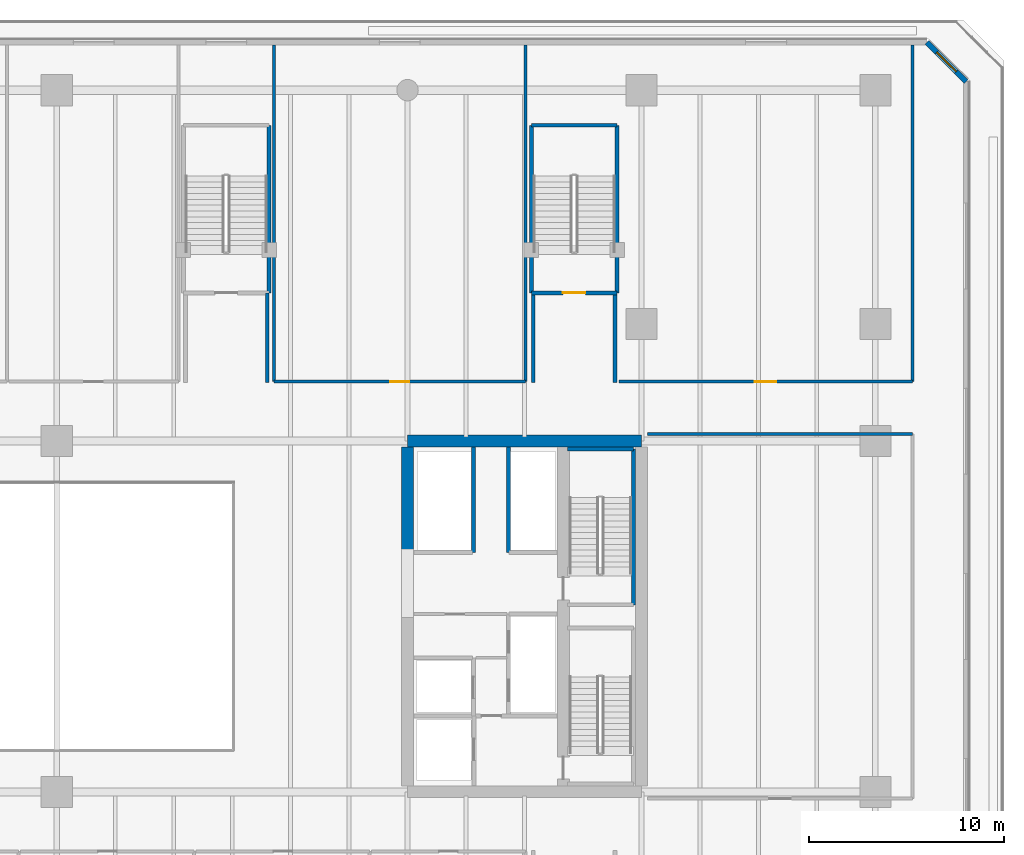
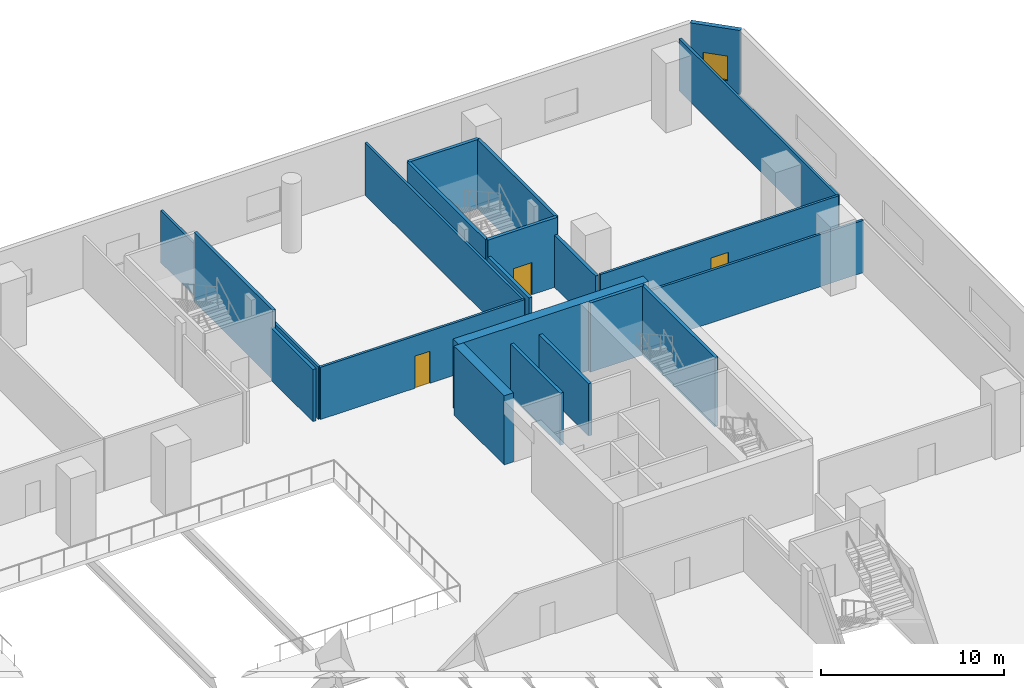
# One storey, part 9 of 27: 21 walls, 3 doors, 1 window, 4 openings.
"""IFC4 building model written with IfcOpenShell, lengths in metres."""

from ifc_helpers import new_model, si_unit, direction, frame, frame_2d, origin, place, context, subcontext, project, spatial, rectangle, extrude, material, layer, layer_set, type_object, element, fill, save


model = new_model("IFC4")

# Units and contexts
model_context = context("Model", 3, precision=1e-05, world=origin(), true_north=direction((0.0, 1.0)))
body_context = subcontext(model_context, "Body", "Model", "MODEL_VIEW")
ifc_project = project(units=[si_unit("LENGTHUNIT", "METRE"), si_unit("AREAUNIT", "SQUARE_METRE"), si_unit("VOLUMEUNIT", "CUBIC_METRE"), si_unit("PLANEANGLEUNIT", "RADIAN"), si_unit("MASSUNIT", "GRAM", prefix="KILO")], contexts=[model_context])

# Site, building, storey
site_placement = place(None, origin())
site = spatial("IfcSite", under=ifc_project, at=site_placement, CompositionType="ELEMENT")
building_placement = place(site_placement, origin())
building = spatial("IfcBuilding", under=site, at=building_placement, Name="Tanjung Sevakor Pilgrim Tower", CompositionType="ELEMENT")
storey_placement = place(building_placement, frame((0.0, 0.0, 19.469970703125)))
storey = spatial("IfcBuildingStorey", under=building, at=storey_placement, Name="L05", CompositionType="ELEMENT", Elevation=19.469970703125)

# Walls
ifc_material_1 = material(Name="Concrete C60/75", Category="concrete")
ifc_layer_1 = layer(ifc_material_1, 0.60009765625)
ifc_layer_set_1 = layer_set([ifc_layer_1], Name="WALL-CW-600")
wall_type_1 = type_object("IfcWallType", Name="WALL-CW-600", PredefinedType="SHEAR", material=ifc_layer_set_1)
wall_1_placement = place(storey_placement, frame((90.0, 42.60009765625, 0.0), z_axis=(0.0, 0.0, 1.0), x_axis=(-1.0, 0.0, 0.0)))
element("IfcWall", 1, at=wall_1_placement, inside=storey, type_object=wall_type_1, Name="L05 E Core North Shear Wall", PredefinedType="SHEAR", context=body_context, shape_type="SweptSolid", body=[
    extrude(rectangle(XDim=12.0, YDim=0.60009765625, at=frame_2d((6.0, 0.0))), origin(), (0.0, 0.0, 1.0), 4.6201171875),
])
wall_2_placement = place(storey_placement, frame((78.0, 36.800048828125, 0.0), z_axis=(0.0, 0.0, 1.0), x_axis=(0.0, 1.0, 0.0)))
element("IfcWall", 2, at=wall_2_placement, inside=storey, type_object=wall_type_1, Name="L05 E Core Inner Shear Wall North", PredefinedType="SHEAR", context=body_context, shape_type="SweptSolid", body=[
    extrude(rectangle(XDim=5.5, YDim=0.60009765625, at=frame_2d((2.75, 0.0))), origin(), (0.0, 0.0, 1.0), 4.6201171875),
])

# Wall, opening, door
ifc_material_2 = material(Name="Concrete C40/50", Category="concrete")
ifc_layer_2 = layer(ifc_material_2, 0.14990234375)
ifc_layer_set_2 = layer_set([ifc_layer_2], Name="WT-COMP-150")
wall_type_2 = type_object("IfcWallType", Name="WT-COMP-150", PredefinedType="SOLIDWALL", material=ifc_layer_set_2)
wall_3_placement = place(storey_placement, frame((71.14990234375, 45.64990234375, 0.0), z_axis=(0.0, 0.0, 1.0), x_axis=(1.0, 0.0, 0.0)))
wall_3 = element("IfcWall", 3, at=wall_3_placement, inside=storey, type_object=wall_type_2, Name="L05 Partition IW-L05-060", PredefinedType="SOLIDWALL", context=body_context, shape_type="SweptSolid", body=[
    extrude(rectangle(XDim=12.900146484375, YDim=0.14990234375, at=frame_2d((6.4501953125, 0.0))), origin(), (0.0, 0.0, 1.0), 3.489990234375),
])
opening_1_placement = place(wall_3_placement, frame((5.97509765625, 0.0, 0.0)))
opening_1 = element("IfcOpeningElement", 4, at=opening_1_placement, cuts=wall_3, Name="Opening ID-RM1", PredefinedType="OPENING", context=body_context, shape_type="SweptSolid", body=[
    extrude(rectangle(XDim=0.949951171875, YDim=2.14990234375, at=frame_2d((0.47509765625, 1.074951171875))), frame((0.0, 0.0849609375, 0.0), z_axis=(0.0, -1.0, 0.0), x_axis=(1.0, 0.0, 0.0)), (0.0, 0.0, 1.0), 0.169921875),
])
ifc_material_3 = material(Name="Hardwood Timber", Category="wood")
door_type_1 = type_object("IfcDoorType", Name="DT-INT-950", OperationType="NOTDEFINED", PredefinedType="DOOR", material=ifc_material_3)
door_1_placement = place(opening_1_placement, origin())
door_1 = element("IfcDoor", 5, at=door_1_placement, inside=storey, type_object=door_type_1, Name="L05 Admin Office Door 6", OperationType="SINGLE_SWING_RIGHT", OverallHeight=2.14990234375, OverallWidth=0.949951171875, PredefinedType="DOOR", context=body_context, shape_type="SweptSolid", body=[
    extrude(rectangle(XDim=0.949951171875, YDim=2.14990234375, at=frame_2d((0.47509765625, 1.074951171875))), frame((0.0, 0.02490234375, 0.0), z_axis=(0.0, -1.0, 0.0), x_axis=(1.0, 0.0, 0.0)), (0.0, 0.0, 1.0), 0.050048828125),
])
fill(opening_1, door_1)

# Walls
for number, where, z_axis, x_axis, name in (
    (6, (71.14990234375, 45.64990234375, 0.0), (0.0, 0.0, 1.0), (0.0, 1.0, 0.0), "L05 Partition IW-L05-061"),
    (7, (84.050048828125, 45.64990234375, 0.0), (0.0, 0.0, 1.0), (0.0, 1.0, 0.0), "L05 Partition IW-L05-062"),
):
    element("IfcWall", number, at=place(storey_placement, frame(where, z_axis=z_axis, x_axis=x_axis)), inside=storey, type_object=wall_type_2, Name=name, PredefinedType="SOLIDWALL", context=body_context, shape_type="SweptSolid", body=[
        extrude(rectangle(XDim=17.27001953125, YDim=0.14990234375, at=frame_2d((8.635009765625, 0.0))), origin(), (0.0, 0.0, 1.0), 3.489990234375),
    ])
wall_4_placement = place(storey_placement, frame((90.320068359375, 42.949951171875, 0.0), z_axis=(0.0, 0.0, 1.0), x_axis=(1.0, 0.0, 0.0)))
element("IfcWall", 8, at=wall_4_placement, inside=storey, type_object=wall_type_2, Name="L05 Partition IW-L05-069", PredefinedType="SOLIDWALL", context=body_context, shape_type="SweptSolid", body=[
    extrude(rectangle(XDim=13.579833984375, YDim=0.14990234375, at=frame_2d((6.7900390625, 0.0))), origin(), (0.0, 0.0, 1.0), 3.489990234375),
])

# Wall, opening, door
wall_5_placement = place(storey_placement, frame((88.85009765625, 45.64990234375, 0.0), z_axis=(0.0, 0.0, 1.0), x_axis=(1.0, 0.0, 0.0)))
wall_5 = element("IfcWall", 9, at=wall_5_placement, inside=storey, type_object=wall_type_2, Name="L05 Partition IW-L05-074", PredefinedType="SOLIDWALL", context=body_context, shape_type="SweptSolid", body=[
    extrude(rectangle(XDim=15.0498046875, YDim=0.14990234375, at=frame_2d((7.52490234375, 0.0))), origin(), (0.0, 0.0, 1.0), 3.489990234375),
])
opening_2_placement = place(wall_5_placement, frame((6.97509765625, 0.0, 0.0)))
opening_2 = element("IfcOpeningElement", 10, at=opening_2_placement, cuts=wall_5, Name="Opening ID-RM2", PredefinedType="OPENING", context=body_context, shape_type="SweptSolid", body=[
    extrude(rectangle(XDim=1.10009765625, YDim=2.14990234375, at=frame_2d((0.550048828125, 1.074951171875))), frame((0.0, 0.0849609375, 0.0), z_axis=(0.0, -1.0, 0.0), x_axis=(1.0, 0.0, 0.0)), (0.0, 0.0, 1.0), 0.169921875),
])
ifc_material_4 = material(Name="Hardwood Timber", Category="wood")
door_type_2 = type_object("IfcDoorType", Name="DT-INT-1100", OperationType="NOTDEFINED", PredefinedType="DOOR", material=ifc_material_4)
door_2_placement = place(opening_2_placement, origin())
door_2 = element("IfcDoor", 11, at=door_2_placement, inside=storey, type_object=door_type_2, Name="L05 NE Council Door", OperationType="SINGLE_SWING_LEFT", OverallHeight=2.14990234375, OverallWidth=1.10009765625, PredefinedType="DOOR", context=body_context, shape_type="SweptSolid", body=[
    extrude(rectangle(XDim=1.10009765625, YDim=2.14990234375, at=frame_2d((0.550048828125, 1.074951171875))), frame((0.0, 0.02490234375, 0.0), z_axis=(0.0, -1.0, 0.0), x_axis=(1.0, 0.0, 0.0)), (0.0, 0.0, 1.0), 0.050048828125),
])
fill(opening_2, door_2)

# Wall
wall_6_placement = place(storey_placement, frame((103.89990234375, 45.64990234375, 0.0), z_axis=(0.0, 0.0, 1.0), x_axis=(0.0, 1.0, 0.0)))
element("IfcWall", 12, at=wall_6_placement, inside=storey, type_object=wall_type_2, Name="L05 Partition IW-L05-075", PredefinedType="SOLIDWALL", context=body_context, shape_type="SweptSolid", body=[
    extrude(rectangle(XDim=17.27001953125, YDim=0.14990234375, at=frame_2d((8.635009765625, 0.0))), origin(), (0.0, 0.0, 1.0), 3.489990234375),
])

# Wall, opening, window
ifc_material_5 = material(Name="Precast concrete C45/55", Category="concrete")
ifc_layer_3 = layer(ifc_material_5, 0.280029296875)
ifc_layer_set_3 = layer_set([ifc_layer_3], Name="WT-EW-STN2")
wall_type_3 = type_object("IfcWallType", Name="WT-EW-STN2", PredefinedType="SOLIDWALL", material=ifc_layer_set_3)
wall_7_placement = place(storey_placement, frame((106.659912109375, 61.0419921875, 0.0), z_axis=(0.0, 0.0, 1.0), x_axis=(-0.707064005301, 0.707149554485, 0.0)))
wall_7 = element("IfcWall", 13, at=wall_7_placement, inside=storey, type_object=wall_type_3, Name="L05 MAIN Exterior Wall 4", PredefinedType="SOLIDWALL", context=body_context, shape_type="SweptSolid", body=[
    extrude(rectangle(XDim=2.853759765625, YDim=0.280029296875, at=frame_2d((1.4267578125, 0.0))), origin(), (0.0, 0.0, 1.0), 4.27001953125),
])
opening_3_placement = place(wall_7_placement, frame((0.726806640625, 0.0, 0.780029296875)))
opening_3 = element("IfcOpeningElement", 14, at=opening_3_placement, cuts=wall_7, Name="Opening WN-END", PredefinedType="OPENING", context=body_context, shape_type="SweptSolid", body=[
    extrude(rectangle(XDim=1.39990234375, YDim=1.64990234375, at=frame_2d((0.699951171875, 0.824951171875))), frame((0.0, 0.14990234375, 0.0), z_axis=(0.0, -1.0, 0.0), x_axis=(1.0, 0.0, 0.0)), (0.0, 0.0, 1.0), 0.300048828125),
])
ifc_material_6 = material(Name="Thermally Broken Aluminium and Low-E Glass", Category="aluminium")
window_type = type_object("IfcWindowType", Name="WTYP-WN-END", PartitioningType="SINGLE_PANEL", PredefinedType="WINDOW", material=ifc_material_6)
window_placement = place(opening_3_placement, origin())
window = element("IfcWindow", 15, at=window_placement, inside=storey, type_object=window_type, Name="L05 Facade Window 01", OverallHeight=1.64990234375, OverallWidth=1.39990234375, PartitioningType="SINGLE_PANEL", PredefinedType="WINDOW", context=body_context, shape_type="SweptSolid", body=[
    extrude(rectangle(XDim=1.39990234375, YDim=1.64990234375, at=frame_2d((0.699951171875, 0.824951171875))), frame((0.0, 0.030029296875, 0.0), z_axis=(0.0, -1.0, 0.0), x_axis=(1.0, 0.0, 0.0)), (0.0, 0.0, 1.0), 0.06005859375),
])
fill(opening_3, window)

# Walls
ifc_material_7 = material(Name="Concrete C40/50", Category="concrete")
ifc_layer_4 = layer(ifc_material_7, 0.199951171875)
ifc_layer_set_4 = layer_set([ifc_layer_4], Name="WT-FIRE-200")
wall_type_4 = type_object("IfcWallType", Name="WT-FIRE-200", PredefinedType="SOLIDWALL", material=ifc_layer_set_4)
wall_8_placement = place(storey_placement, frame((89.60009765625, 34.199951171875, 0.0), z_axis=(0.0, 0.0, 1.0), x_axis=(0.0, 1.0, 0.0)))
element("IfcWall", 16, at=wall_8_placement, inside=storey, type_object=wall_type_4, Name="L05 TS-E2 Shaft Wall 2", PredefinedType="SOLIDWALL", context=body_context, shape_type="SweptSolid", body=[
    extrude(rectangle(XDim=8.0, YDim=0.199951171875, at=frame_2d((4.0, 0.0))), origin(), (0.0, 0.0, 1.0), 4.6201171875),
])
wall_9_placement = place(storey_placement, frame((89.60009765625, 42.199951171875, 0.0), z_axis=(0.0, 0.0, 1.0), x_axis=(-1.0, 0.0, 0.0)))
element("IfcWall", 17, at=wall_9_placement, inside=storey, type_object=wall_type_4, Name="L05 TS-E2 Shaft Wall 3", PredefinedType="SOLIDWALL", context=body_context, shape_type="SweptSolid", body=[
    extrude(rectangle(XDim=3.400146484375, YDim=0.199951171875, at=frame_2d((1.7001953125, 0.0))), origin(), (0.0, 0.0, 1.0), 4.6201171875),
])
wall_10_placement = place(storey_placement, frame((70.89990234375, 50.199951171875, 0.0), z_axis=(0.0, 0.0, 1.0), x_axis=(0.0, 1.0, 0.0)))
element("IfcWall", 18, at=wall_10_placement, inside=storey, type_object=wall_type_4, Name="L05 PS-4 Shaft Wall 2", PredefinedType="SOLIDWALL", context=body_context, shape_type="SweptSolid", body=[
    extrude(rectangle(XDim=8.60009765625, YDim=0.199951171875, at=frame_2d((4.300048828125, 0.0))), origin(), (0.0, 0.0, 1.0), 4.6201171875),
])

# Wall, opening, door
wall_11_placement = place(storey_placement, frame((84.35009765625, 50.199951171875, 0.0), z_axis=(0.0, 0.0, 1.0), x_axis=(1.0, 0.0, 0.0)))
wall_11 = element("IfcWall", 19, at=wall_11_placement, inside=storey, type_object=wall_type_4, Name="L05 PS-6 Shaft Wall 1", PredefinedType="SOLIDWALL", context=body_context, shape_type="SweptSolid", body=[
    extrude(rectangle(XDim=4.39990234375, YDim=0.199951171875, at=frame_2d((2.199951171875, 0.0))), origin(), (0.0, 0.0, 1.0), 4.6201171875),
])
opening_4_placement = place(wall_11_placement, frame((1.625, 0.0, 0.0)))
opening_4 = element("IfcOpeningElement", 20, at=opening_4_placement, cuts=wall_11, Name="Opening ID-ST1", PredefinedType="OPENING", context=body_context, shape_type="SweptSolid", body=[
    extrude(rectangle(XDim=1.14990234375, YDim=2.14990234375, at=frame_2d((0.574951171875, 1.074951171875))), frame((0.0, 0.10986328125, 0.0), z_axis=(0.0, -1.0, 0.0), x_axis=(1.0, 0.0, 0.0)), (0.0, 0.0, 1.0), 0.219970703125),
])
ifc_material_8 = material(Name="Fire-Rated Steel S355J2", Category="steel")
door_type_3 = type_object("IfcDoorType", Name="DT-FIRE-1150", OperationType="NOTDEFINED", PredefinedType="DOOR", material=ifc_material_8)
door_3_placement = place(opening_4_placement, origin())
door_3 = element("IfcDoor", 21, at=door_3_placement, inside=storey, type_object=door_type_3, Name="L05 PS-6 Stair Entry Fire Door", OperationType="SINGLE_SWING_LEFT", OverallHeight=2.14990234375, OverallWidth=1.14990234375, PredefinedType="DOOR", context=body_context, shape_type="SweptSolid", body=[
    extrude(rectangle(XDim=1.14990234375, YDim=2.14990234375, at=frame_2d((0.574951171875, 1.074951171875))), frame((0.0, 0.02490234375, 0.0), z_axis=(0.0, -1.0, 0.0), x_axis=(1.0, 0.0, 0.0)), (0.0, 0.0, 1.0), 0.050048828125),
])
fill(opening_4, door_3)

# Walls
wall_12_placement = place(storey_placement, frame((88.75, 50.199951171875, 0.0), z_axis=(0.0, 0.0, 1.0), x_axis=(0.0, 1.0, 0.0)))
element("IfcWall", 22, at=wall_12_placement, inside=storey, type_object=wall_type_4, Name="L05 PS-6 Shaft Wall 2", PredefinedType="SOLIDWALL", context=body_context, shape_type="SweptSolid", body=[
    extrude(rectangle(XDim=8.60009765625, YDim=0.199951171875, at=frame_2d((4.300048828125, 0.0))), origin(), (0.0, 0.0, 1.0), 4.6201171875),
])
wall_13_placement = place(storey_placement, frame((88.75, 58.800048828125, 0.0), z_axis=(0.0, 0.0, 1.0), x_axis=(-1.0, 0.0, 0.0)))
element("IfcWall", 23, at=wall_13_placement, inside=storey, type_object=wall_type_4, Name="L05 PS-6 Shaft Wall 3", PredefinedType="SOLIDWALL", context=body_context, shape_type="SweptSolid", body=[
    extrude(rectangle(XDim=4.39990234375, YDim=0.199951171875, at=frame_2d((2.199951171875, 0.0))), origin(), (0.0, 0.0, 1.0), 4.6201171875),
])
wall_14_placement = place(storey_placement, frame((84.35009765625, 58.800048828125, 0.0), z_axis=(0.0, 0.0, 1.0), x_axis=(0.0, -1.0, 0.0)))
element("IfcWall", 24, at=wall_14_placement, inside=storey, type_object=wall_type_4, Name="L05 PS-6 Shaft Wall 4", PredefinedType="SOLIDWALL", context=body_context, shape_type="SweptSolid", body=[
    extrude(rectangle(XDim=8.60009765625, YDim=0.199951171875, at=frame_2d((4.300048828125, 0.0))), origin(), (0.0, 0.0, 1.0), 4.6201171875),
])
ifc_material_9 = material(Name="Concrete C40/50", Category="concrete")
ifc_layer_5 = layer(ifc_material_9, 0.199951171875)
ifc_layer_set_5 = layer_set([ifc_layer_5], Name="WT-FPRT-200")
wall_type_5 = type_object("IfcWallType", Name="WT-FPRT-200", PredefinedType="SOLIDWALL", material=ifc_layer_set_5)
for number, where, z_axis, x_axis, name in (
    (25, (83.179931640625, 36.8798828125, 0.0), (0.0, 0.0, 1.0), (0.0, 1.0, 0.0), "L05 Partition IW-L05-022"),
    (26, (81.3798828125, 36.8798828125, 0.0), (0.0, 0.0, 1.0), (0.0, 1.0, 0.0), "L05 Partition IW-L05-024"),
):
    element("IfcWall", number, at=place(storey_placement, frame(where, z_axis=z_axis, x_axis=x_axis)), inside=storey, type_object=wall_type_5, Name=name, PredefinedType="SOLIDWALL", context=body_context, shape_type="SweptSolid", body=[
        extrude(rectangle(XDim=5.420166015625, YDim=0.199951171875, at=frame_2d((2.7099609375, 0.0))), origin(), (0.0, 0.0, 1.0), 3.489990234375),
    ])
for number, where, z_axis, x_axis, name in (
    (27, (70.800048828125, 45.60009765625, 0.0), (0.0, 0.0, 1.0), (0.0, 1.0, 0.0), "L05 Partition IW-L05-034"),
    (28, (84.449951171875, 45.60009765625, 0.0), (0.0, 0.0, 1.0), (0.0, 1.0, 0.0), "L05 Partition IW-L05-035"),
    (29, (88.64990234375, 45.60009765625, 0.0), (0.0, 0.0, 1.0), (0.0, 1.0, 0.0), "L05 Partition IW-L05-036"),
):
    element("IfcWall", number, at=place(storey_placement, frame(where, z_axis=z_axis, x_axis=x_axis)), inside=storey, type_object=wall_type_5, Name=name, PredefinedType="SOLIDWALL", context=body_context, shape_type="SweptSolid", body=[
        extrude(rectangle(XDim=4.599853515625, YDim=0.199951171875, at=frame_2d((2.2998046875, 0.0))), origin(), (0.0, 0.0, 1.0), 3.489990234375),
    ])

save(model, "model.ifc")
